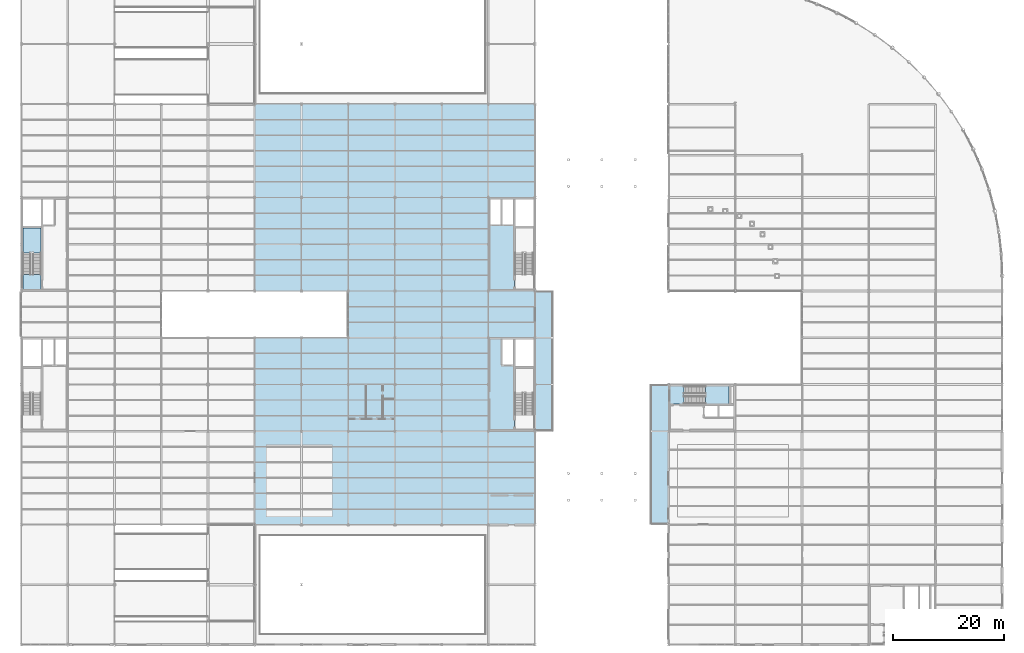
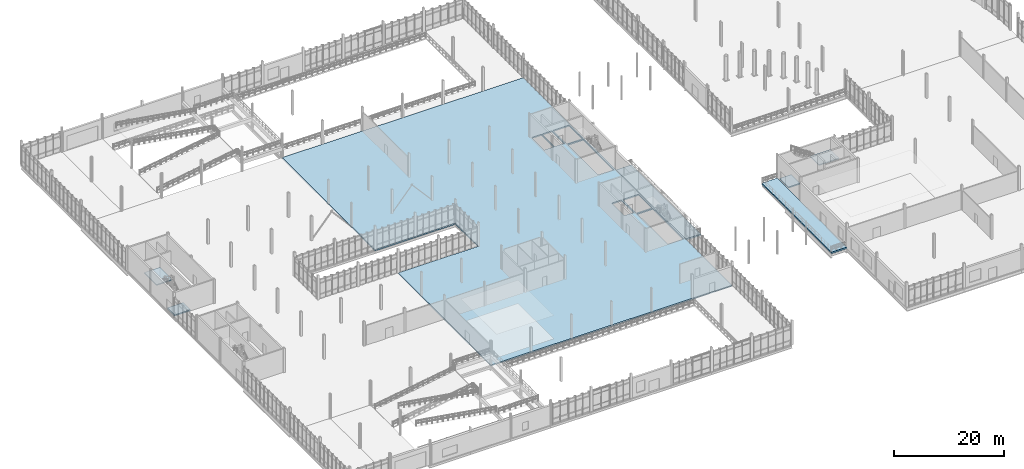
# One storey, part 83 of 111: 7 slabs, 2 elements without a shape of their own.
"""IFC4 building model written with IfcOpenShell, lengths in metres."""

from ifc_helpers import new_model, si_unit, direction, frame, origin, place, context, subcontext, project, spatial, polyline, outline, extrude, material, layer, layer_set, type_object, element, aggregate, save


model = new_model("IFC4")

# Units and contexts
model_context = context("Model", 3, precision=1e-05, world=origin(), true_north=direction((0.0, 1.0)))
body_context = subcontext(model_context, "Body", "Model", "MODEL_VIEW")
ifc_project = project(units=[si_unit("LENGTHUNIT", "METRE"), si_unit("AREAUNIT", "SQUARE_METRE"), si_unit("VOLUMEUNIT", "CUBIC_METRE"), si_unit("PLANEANGLEUNIT", "RADIAN"), si_unit("MASSUNIT", "GRAM", prefix="KILO"), si_unit("THERMODYNAMICTEMPERATUREUNIT", "KELVIN"), si_unit("POWERUNIT", "WATT")], contexts=[model_context])

# Site, building, storey
site_placement = place(None, origin())
site = spatial("IfcSite", under=ifc_project, at=site_placement, CompositionType="ELEMENT")
building_placement = place(site_placement, origin())
building = spatial("IfcBuilding", under=site, at=building_placement, Name="Tembeka Court Mobility Hub", CompositionType="ELEMENT")
storey_placement = place(building_placement, origin())
storey = spatial("IfcBuildingStorey", under=building, at=storey_placement, Name="L00", CompositionType="ELEMENT", Elevation=0.0)

# Slabs
ifc_material = material(Name="Concrete C40/50", Category="concrete")
ifc_layer_1 = layer(ifc_material, 0.280029296875)
ifc_layer_set_1 = layer_set([ifc_layer_1], Name="Concrete C40/50")
slab_type_1 = type_object("IfcSlabType", Name="SL-FL01", PredefinedType="FLOOR", material=ifc_layer_set_1)
slab_1_placement = place(storey_placement, frame((0.0, 0.0, -0.280029296875)))
element("IfcSlab", 1, at=slab_1_placement, inside=storey, type_object=slab_type_1, Name="L00 East customer mobility hall structural slab", PredefinedType="FLOOR", context=body_context, shape_type="SweptSolid", body=[
    extrude(outline(polyline([(42.0, 21.60009765625), (92.39990234375, 21.60009765625), (92.39990234375, 97.199951171875), (42.0, 97.199951171875), (42.0, 63.60009765625), (58.800048828125, 63.60009765625), (58.800048828125, 55.199951171875), (42.0, 55.199951171875), (42.0, 21.60009765625)]), holes=[polyline([(88.800048828125, 74.949951171875), (92.10009765625, 74.949951171875), (92.10009765625, 63.89990234375), (88.800048828125, 63.89990234375), (88.800048828125, 74.949951171875)]), polyline([(84.300048828125, 80.10009765625), (86.300048828125, 80.10009765625), (86.300048828125, 75.550048828125), (84.300048828125, 75.550048828125), (84.300048828125, 80.10009765625)]), polyline([(86.5, 80.10009765625), (88.5, 80.10009765625), (88.5, 75.550048828125), (86.5, 75.550048828125), (86.5, 80.10009765625)]), polyline([(88.800048828125, 80.10009765625), (92.10009765625, 80.10009765625), (92.10009765625, 75.25), (88.800048828125, 75.25), (88.800048828125, 80.10009765625)]), polyline([(88.800048828125, 49.75), (92.10009765625, 49.75), (92.10009765625, 38.699951171875), (88.800048828125, 38.699951171875), (88.800048828125, 49.75)]), polyline([(86.5, 54.89990234375), (88.5, 54.89990234375), (88.5, 50.35009765625), (86.5, 50.35009765625), (86.5, 54.89990234375)]), polyline([(88.800048828125, 54.89990234375), (92.10009765625, 54.89990234375), (92.10009765625, 50.050048828125), (88.800048828125, 50.050048828125), (88.800048828125, 54.89990234375)])]), origin(), (0.0, 0.0, 1.0), 0.280029296875),
])
ifc_layer_2 = layer(ifc_material, 0.199951171875)
ifc_layer_set_2 = layer_set([ifc_layer_2], Name="Concrete C40/50")
slab_type_2 = type_object("IfcSlabType", Name="SL-LD01", PredefinedType="LANDING", material=ifc_layer_set_2)
slab_2_placement = place(storey_placement, frame((0.0, 0.0, -0.25)))
element("IfcSlab", 2, at=slab_2_placement, inside=storey, type_object=slab_type_2, Name="Stair ST03 L00 floor landing slab", PredefinedType="LANDING", context=body_context, shape_type="SweptSolid", body=[
    extrude(outline(polyline([(0.300048828125, 63.89990234375), (3.60009765625, 63.89990234375), (3.60009765625, 66.550048828125), (0.300048828125, 66.550048828125), (0.300048828125, 63.89990234375)])), origin(), (0.0, 0.0, 1.0), 0.25),
])

# Stair, slab
stair_type_1 = type_object("IfcStairType", Name="STR-ST03L00", PredefinedType="HALF_TURN_STAIR", material=ifc_material)
stair_1_placement = place(storey_placement, origin())
stair_1 = element("IfcStair", 3, at=stair_1_placement, inside=storey, type_object=stair_type_1, Name="Protected exit stair ST03 (L00)", PredefinedType="HALF_TURN_STAIR")
slab_3_placement = place(storey_placement, frame((0.0, 0.0, 2.5)))
slab_3 = element("IfcSlab", 4, at=slab_3_placement, type_object=slab_type_2, Name="ST03L00 landing 1", PredefinedType="LANDING", context=body_context, shape_type="SweptSolid", body=[
    extrude(outline(polyline([(3.60009765625, 70.469970703125), (3.60009765625, 74.949951171875), (0.300048828125, 74.949951171875), (0.300048828125, 70.469970703125), (3.60009765625, 70.469970703125)])), origin(), (0.0, 0.0, 1.0), 0.199951171875),
])
aggregate(stair_1, [slab_3])

# Slab
slab_4_placement = place(storey_placement, frame((0.0, 0.0, -0.25)))
element("IfcSlab", 5, at=slab_4_placement, inside=storey, type_object=slab_type_2, Name="Stair ST05 L00 floor landing slab", PredefinedType="LANDING", context=body_context, shape_type="SweptSolid", body=[
    extrude(outline(polyline([(116.699951171875, 43.300048828125), (119.14990234375, 43.300048828125), (119.14990234375, 46.5), (116.699951171875, 46.5), (116.699951171875, 43.300048828125)])), origin(), (0.0, 0.0, 1.0), 0.25),
])

# Stair, slab
stair_type_2 = type_object("IfcStairType", Name="STR-ST05L00", PredefinedType="HALF_TURN_STAIR", material=ifc_material)
stair_2_placement = place(storey_placement, origin())
stair_2 = element("IfcStair", 6, at=stair_2_placement, inside=storey, type_object=stair_type_2, Name="Protected exit stair ST05 (L00)", PredefinedType="HALF_TURN_STAIR")
slab_5_placement = place(storey_placement, frame((0.0, 0.0, 2.5)))
slab_5 = element("IfcSlab", 7, at=slab_5_placement, type_object=slab_type_2, Name="ST05L00 landing 1", PredefinedType="LANDING", context=body_context, shape_type="SweptSolid", body=[
    extrude(outline(polyline([(123.070068359375, 43.300048828125), (127.300048828125, 43.300048828125), (127.300048828125, 46.5), (123.070068359375, 46.5), (123.070068359375, 43.300048828125)])), origin(), (0.0, 0.0, 1.0), 0.199951171875),
])
aggregate(stair_2, [slab_5])

# Slabs
ifc_layer_3 = layer(ifc_material, 0.320068359375)
ifc_layer_set_3 = layer_set([ifc_layer_3], Name="Concrete C40/50")
slab_type_3 = type_object("IfcSlabType", Name="SL-TR01", PredefinedType="FLOOR", material=ifc_layer_set_3)
slab_6_placement = place(storey_placement, frame((0.0, 0.0, -0.320068359375)))
element("IfcSlab", 8, at=slab_6_placement, inside=storey, type_object=slab_type_3, Name="L00 West sunken-forecourt arrival balcony slab", PredefinedType="FLOOR", context=body_context, shape_type="SweptSolid", body=[
    extrude(outline(polyline([(92.39990234375, 38.39990234375), (95.60009765625, 38.39990234375), (95.60009765625, 63.60009765625), (92.39990234375, 63.60009765625), (92.39990234375, 38.39990234375)])), origin(), (0.0, 0.0, 1.0), 0.320068359375),
])
slab_7_placement = place(storey_placement, frame((0.0, 0.0, -0.320068359375)))
element("IfcSlab", 9, at=slab_7_placement, inside=storey, type_object=slab_type_3, Name="L00 East sunken-forecourt arrival balcony slab", PredefinedType="FLOOR", context=body_context, shape_type="SweptSolid", body=[
    extrude(outline(polyline([(113.199951171875, 21.60009765625), (116.39990234375, 21.60009765625), (116.39990234375, 46.800048828125), (113.199951171875, 46.800048828125), (113.199951171875, 21.60009765625)])), origin(), (0.0, 0.0, 1.0), 0.320068359375),
])

save(model, "model.ifc")
